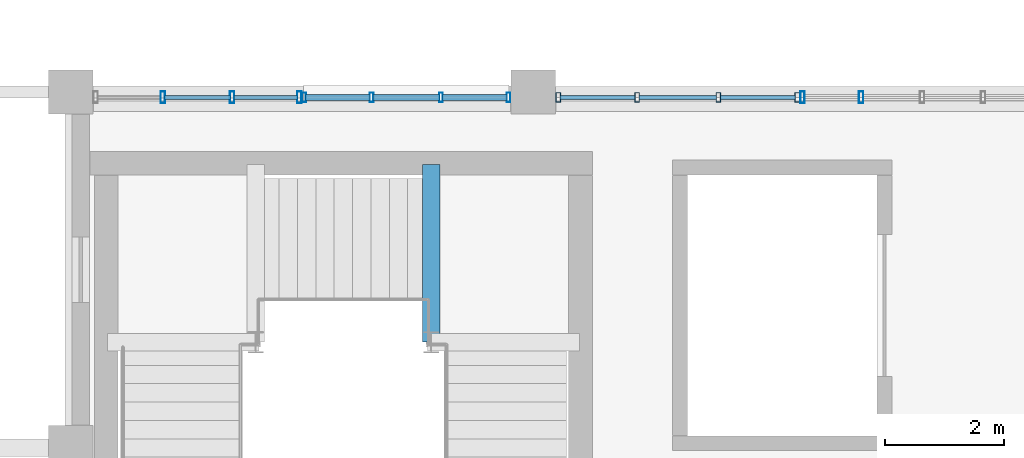
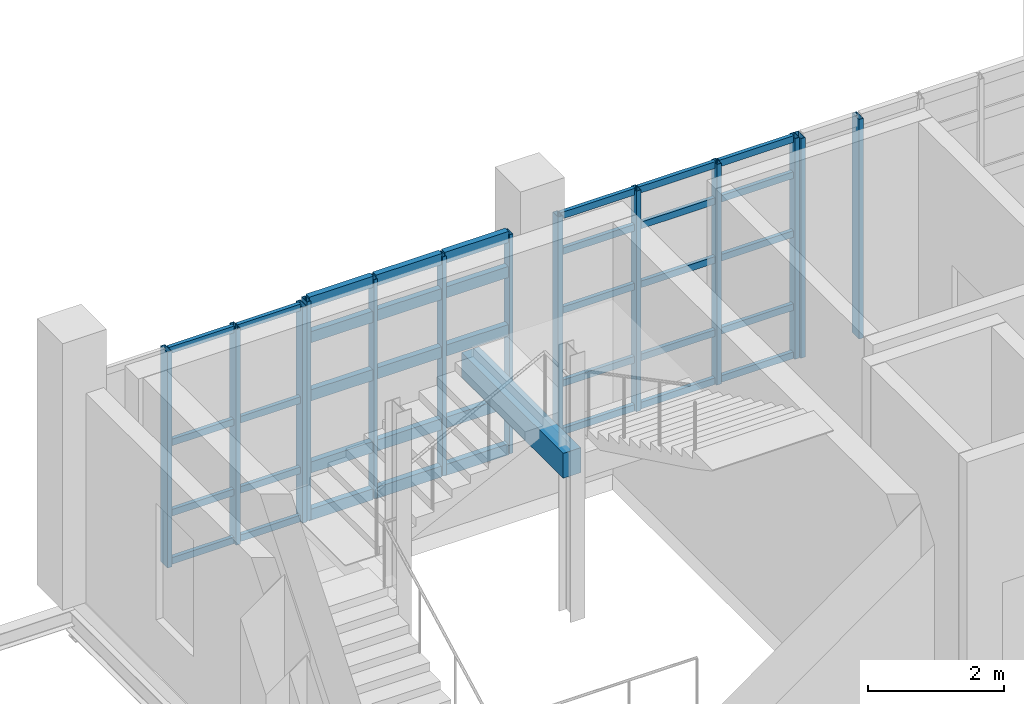
# One storey, part 63 of 127: 51 members, 1 beam, 4 elements without a shape of their own.
"""IFC4 building model written with IfcOpenShell, lengths in metres."""

from ifc_helpers import new_model, si_unit, derived_unit, direction, frame, origin, origin_2d, place, context, subcontext, project, spatial, rectangle, hollow_rectangle, extrude, material, layer, layer_set, material_profile, profile_set, type_object, element, aggregate, save


model = new_model("IFC4")

# Units and contexts
model_context = context("Model", 3, precision=1e-05, world=origin(), true_north=direction((0.0, 1.0)))
body_context = subcontext(model_context, "Body", "Model", "MODEL_VIEW")
ifc_project = project(units=[si_unit("LENGTHUNIT", "METRE"), si_unit("AREAUNIT", "SQUARE_METRE"), si_unit("VOLUMEUNIT", "CUBIC_METRE"), si_unit("PLANEANGLEUNIT", "RADIAN"), si_unit("MASSUNIT", "GRAM", prefix="KILO"), derived_unit("THERMALTRANSMITTANCEUNIT", [(si_unit("POWERUNIT", "WATT"), 1), (si_unit("LENGTHUNIT", "METRE"), -2), (si_unit("THERMODYNAMICTEMPERATUREUNIT", "KELVIN"), -1)])], contexts=[model_context])

# Site, building, storey
site_placement = place(None, origin())
site = spatial("IfcSite", under=ifc_project, at=site_placement, CompositionType="ELEMENT")
building_placement = place(site_placement, origin())
building = spatial("IfcBuilding", under=site, at=building_placement, Name="Nallur Shell Playhouse", CompositionType="ELEMENT")
storey_placement = place(building_placement, frame((0.0, 0.0, 5.39990234375)))
storey = spatial("IfcBuildingStorey", under=building, at=storey_placement, Name="L02", CompositionType="ELEMENT", Elevation=5.39990234375)

# Beam
ifc_material_1 = material(Name="Concrete M35", Category="concrete")
ifc_material_profile_1 = material_profile(ifc_material_1, rectangle(XDim=0.300048828125, YDim=0.449951171875, at=origin_2d()), Name="RC 300x450")
ifc_profile_set_1 = profile_set([ifc_material_profile_1], Name="Concrete M35")
beam_type = type_object("IfcBeamType", Name="BM-SPN-300x450", PredefinedType="SPANDREL", material=ifc_profile_set_1)
beam_placement = place(storey_placement, frame((124.679931640625, 51.780029296875, 2.72509765625), z_axis=(0.0, 1.0, 0.0), x_axis=(-1.0, 0.0, 0.0)))
element("IfcBeam", 1, at=beam_placement, inside=storey, type_object=beam_type, Name="Stair ST-02-L02 L2 west bearer beam", PredefinedType="SPANDREL", context=body_context, shape_type="SweptSolid", body=[
    extrude(rectangle(XDim=0.300048828125, YDim=0.449951171875, at=origin_2d()), origin(), (0.0, 0.0, 1.0), 3.0),
])

# Curtain wall, members
ifc_material_2 = material(Name="Anodised Aluminium Double-Glazed Facade System", Category="aluminium")
ifc_layer_1 = layer(ifc_material_2, 0.179931640625)
ifc_layer_set_1 = layer_set([ifc_layer_1], Name="Anodised Aluminium Double-Glazed Facade System")
curtain_wall_type_1 = type_object("IfcCurtainWallType", Name="CW-UNIT-29", PredefinedType="NOTDEFINED", material=ifc_layer_set_1)
curtain_wall_1_placement = place(storey_placement, origin())
curtain_wall_1 = element("IfcCurtainWall", 2, at=curtain_wall_1_placement, inside=storey, type_object=curtain_wall_type_1, Name="Unitised curtain wall CW-029 (L02)", PredefinedType="NOTDEFINED")
ifc_material_3 = material(Name="Aluminium Alloy 6063-T6 Mullion", Category="aluminium")
ifc_material_profile_2 = material_profile(ifc_material_3, hollow_rectangle(XDim=0.080078125, YDim=0.159912109375, WallThickness=0.006103515625, at=origin_2d()), Name="RHS 160x80x6")
ifc_profile_set_2 = profile_set([ifc_material_profile_2], Name="Aluminium Alloy 6063-T6 Mullion")
member_type_1 = type_object("IfcMemberType", Name="MB-CW-MUL150", PredefinedType="MULLION", material=ifc_profile_set_2)
member_1_placement = place(storey_placement, frame((126.822998046875, 55.909912109375, -0.014892578125), z_axis=(0.0, 0.0, 1.0), x_axis=(1.0, 0.0, 0.0)))
member_1 = element("IfcMember", 3, at=member_1_placement, type_object=member_type_1, Name="CW-29 mullion 1", PredefinedType="MULLION", context=body_context, shape_type="SweptSolid", body=[
    extrude(hollow_rectangle(XDim=0.080078125, YDim=0.159912109375, WallThickness=0.006103515625, at=origin_2d()), origin(), (0.0, 0.0, 1.0), 3.973876953125),
])
member_2_placement = place(storey_placement, frame((128.153564453125, 55.909912109375, -0.014892578125), z_axis=(0.0, 0.0, 1.0), x_axis=(1.0, 0.0, 0.0)))
member_2 = element("IfcMember", 4, at=member_2_placement, type_object=member_type_1, Name="CW-29 mullion 2", PredefinedType="MULLION", context=body_context, shape_type="SweptSolid", body=[
    extrude(hollow_rectangle(XDim=0.080078125, YDim=0.159912109375, WallThickness=0.006103515625, at=origin_2d()), origin(), (0.0, 0.0, 1.0), 3.973876953125),
])
member_3_placement = place(storey_placement, frame((129.5244140625, 55.909912109375, -0.014892578125), z_axis=(0.0, 0.0, 1.0), x_axis=(1.0, 0.0, 0.0)))
member_3 = element("IfcMember", 5, at=member_3_placement, type_object=member_type_1, Name="CW-29 mullion 3", PredefinedType="MULLION", context=body_context, shape_type="SweptSolid", body=[
    extrude(hollow_rectangle(XDim=0.080078125, YDim=0.159912109375, WallThickness=0.006103515625, at=origin_2d()), origin(), (0.0, 0.0, 1.0), 3.973876953125),
])
member_4_placement = place(storey_placement, frame((130.85498046875, 55.909912109375, -0.014892578125), z_axis=(0.0, 0.0, 1.0), x_axis=(1.0, 0.0, 0.0)))
member_4 = element("IfcMember", 6, at=member_4_placement, type_object=member_type_1, Name="CW-29 mullion 4", PredefinedType="MULLION", context=body_context, shape_type="SweptSolid", body=[
    extrude(hollow_rectangle(XDim=0.080078125, YDim=0.159912109375, WallThickness=0.006103515625, at=origin_2d()), origin(), (0.0, 0.0, 1.0), 3.973876953125),
])

ifc_layer_2 = layer(ifc_material_2, 0.176025390625)
ifc_layer_set_2 = layer_set([ifc_layer_2], Name="Anodised Aluminium Double-Glazed Facade System")
curtain_wall_type_2 = type_object("IfcCurtainWallType", Name="CW-UNIT-28", PredefinedType="NOTDEFINED", material=ifc_layer_set_2)
curtain_wall_2_placement = place(storey_placement, origin())
curtain_wall_2 = element("IfcCurtainWall", 7, at=curtain_wall_2_placement, inside=storey, type_object=curtain_wall_type_2, Name="Unitised curtain wall CW-028 (L02)", PredefinedType="NOTDEFINED")
ifc_material_profile_3 = material_profile(ifc_material_3, hollow_rectangle(XDim=0.06494140625, YDim=0.159912109375, WallThickness=0.00390625, at=origin_2d()), Name="ALU 65x160x4")
ifc_profile_set_3 = profile_set([ifc_material_profile_3], Name="Aluminium Alloy 6063-T6 Mullion")
member_type_2 = type_object("IfcMemberType", Name="MB-CW-MUL160", PredefinedType="MULLION", material=ifc_profile_set_3)
member_5_placement = place(storey_placement, frame((122.53759765625, 55.909912109375, -0.014892578125), z_axis=(0.0, 0.0, 1.0), x_axis=(1.0, 0.0, 0.0)))
member_5 = element("IfcMember", 8, at=member_5_placement, type_object=member_type_2, Name="CW-28 mullion 1", PredefinedType="MULLION", context=body_context, shape_type="SweptSolid", body=[
    extrude(hollow_rectangle(XDim=0.06494140625, YDim=0.159912109375, WallThickness=0.00390625, at=origin_2d()), origin(), (0.0, 0.0, 1.0), 3.944091796875),
])
member_6_placement = place(storey_placement, frame((123.67578125, 55.909912109375, -0.014892578125), z_axis=(0.0, 0.0, 1.0), x_axis=(1.0, 0.0, 0.0)))
member_6 = element("IfcMember", 9, at=member_6_placement, type_object=member_type_2, Name="CW-28 mullion 2", PredefinedType="MULLION", context=body_context, shape_type="SweptSolid", body=[
    extrude(hollow_rectangle(XDim=0.06494140625, YDim=0.159912109375, WallThickness=0.00390625, at=origin_2d()), origin(), (0.0, 0.0, 1.0), 3.944091796875),
])
member_7_placement = place(storey_placement, frame((124.846435546875, 55.909912109375, -0.014892578125), z_axis=(0.0, 0.0, 1.0), x_axis=(1.0, 0.0, 0.0)))
member_7 = element("IfcMember", 10, at=member_7_placement, type_object=member_type_2, Name="CW-28 mullion 3", PredefinedType="MULLION", context=body_context, shape_type="SweptSolid", body=[
    extrude(hollow_rectangle(XDim=0.06494140625, YDim=0.159912109375, WallThickness=0.00390625, at=origin_2d()), origin(), (0.0, 0.0, 1.0), 3.944091796875),
])
member_8_placement = place(storey_placement, frame((125.984619140625, 55.909912109375, -0.014892578125), z_axis=(0.0, 0.0, 1.0), x_axis=(1.0, 0.0, 0.0)))
member_8 = element("IfcMember", 11, at=member_8_placement, type_object=member_type_2, Name="CW-28 mullion 4", PredefinedType="MULLION", context=body_context, shape_type="SweptSolid", body=[
    extrude(hollow_rectangle(XDim=0.06494140625, YDim=0.159912109375, WallThickness=0.00390625, at=origin_2d()), origin(), (0.0, 0.0, 1.0), 3.944091796875),
])

ifc_layer_3 = layer(ifc_material_2, 0.172119140625)
ifc_layer_set_3 = layer_set([ifc_layer_3], Name="Anodised Aluminium Double-Glazed Facade System")
curtain_wall_type_3 = type_object("IfcCurtainWallType", Name="CW-UNIT-27", PredefinedType="NOTDEFINED", material=ifc_layer_set_3)
curtain_wall_3_placement = place(storey_placement, origin())
curtain_wall_3 = element("IfcCurtainWall", 12, at=curtain_wall_3_placement, inside=storey, type_object=curtain_wall_type_3, Name="Unitised curtain wall CW-027 (L02)", PredefinedType="NOTDEFINED")
ifc_material_profile_4 = material_profile(ifc_material_3, hollow_rectangle(XDim=0.074951171875, YDim=0.199951171875, WallThickness=0.0048828125, at=origin_2d()), Name="ALU 75x200x5")
ifc_profile_set_4 = profile_set([ifc_material_profile_4], Name="Aluminium Alloy 6063-T6 Mullion")
member_type_3 = type_object("IfcMemberType", Name="MB-CW-MUL180", PredefinedType="MULLION", material=ifc_profile_set_4)
member_9_placement = place(storey_placement, frame((120.153564453125, 55.909912109375, -0.014892578125), z_axis=(0.0, 0.0, 1.0), x_axis=(1.0, 0.0, 0.0)))
member_9 = element("IfcMember", 13, at=member_9_placement, type_object=member_type_3, Name="CW-27 mullion 2", PredefinedType="MULLION", context=body_context, shape_type="SweptSolid", body=[
    extrude(hollow_rectangle(XDim=0.074951171875, YDim=0.199951171875, WallThickness=0.0048828125, at=origin_2d()), origin(), (0.0, 0.0, 1.0), 3.884033203125),
])
member_10_placement = place(storey_placement, frame((121.32421875, 55.909912109375, -0.014892578125), z_axis=(0.0, 0.0, 1.0), x_axis=(1.0, 0.0, 0.0)))
member_10 = element("IfcMember", 14, at=member_10_placement, type_object=member_type_3, Name="CW-27 mullion 3", PredefinedType="MULLION", context=body_context, shape_type="SweptSolid", body=[
    extrude(hollow_rectangle(XDim=0.074951171875, YDim=0.199951171875, WallThickness=0.0048828125, at=origin_2d()), origin(), (0.0, 0.0, 1.0), 3.884033203125),
])
member_11_placement = place(storey_placement, frame((122.45751953125, 55.909912109375, -0.014892578125), z_axis=(0.0, 0.0, 1.0), x_axis=(1.0, 0.0, 0.0)))
member_11 = element("IfcMember", 15, at=member_11_placement, type_object=member_type_3, Name="CW-27 mullion 4", PredefinedType="MULLION", context=body_context, shape_type="SweptSolid", body=[
    extrude(hollow_rectangle(XDim=0.074951171875, YDim=0.199951171875, WallThickness=0.0048828125, at=origin_2d()), origin(), (0.0, 0.0, 1.0), 3.884033203125),
])

ifc_layer_4 = layer(ifc_material_2, 0.159912109375)
ifc_layer_set_4 = layer_set([ifc_layer_4], Name="Anodised Aluminium Double-Glazed Facade System")
curtain_wall_type_4 = type_object("IfcCurtainWallType", Name="CW-UNIT-30", PredefinedType="NOTDEFINED", material=ifc_layer_set_4)
curtain_wall_4_placement = place(storey_placement, origin())
curtain_wall_4 = element("IfcCurtainWall", 16, at=curtain_wall_4_placement, inside=storey, type_object=curtain_wall_type_4, Name="Unitised curtain wall CW-030 (L02)", PredefinedType="NOTDEFINED")
member_12_placement = place(storey_placement, frame((130.9423828125, 55.909912109375, -0.014892578125), z_axis=(0.0, 0.0, 1.0), x_axis=(1.0, 0.0, 0.0)))
member_12 = element("IfcMember", 17, at=member_12_placement, type_object=member_type_3, Name="CW-30 mullion 1", PredefinedType="MULLION", context=body_context, shape_type="SweptSolid", body=[
    extrude(hollow_rectangle(XDim=0.074951171875, YDim=0.199951171875, WallThickness=0.0048828125, at=origin_2d()), origin(), (0.0, 0.0, 1.0), 3.9541015625),
])
member_13_placement = place(storey_placement, frame((131.93310546875, 55.909912109375, -0.014892578125), z_axis=(0.0, 0.0, 1.0), x_axis=(1.0, 0.0, 0.0)))
member_13 = element("IfcMember", 18, at=member_13_placement, type_object=member_type_3, Name="CW-30 mullion 2", PredefinedType="MULLION", context=body_context, shape_type="SweptSolid", body=[
    extrude(hollow_rectangle(XDim=0.074951171875, YDim=0.199951171875, WallThickness=0.0048828125, at=origin_2d()), origin(), (0.0, 0.0, 1.0), 3.9541015625),
])
aggregate(curtain_wall_4, [member_12, member_13])

# Member
ifc_material_4 = material(Name="Aluminium Alloy 6063-T6 Transom", Category="aluminium")
ifc_material_profile_5 = material_profile(ifc_material_4, hollow_rectangle(XDim=0.06494140625, YDim=0.1201171875, WallThickness=0.00390625, at=origin_2d()), Name="ALU 65x120x4")
ifc_profile_set_5 = profile_set([ifc_material_profile_5], Name="Aluminium Alloy 6063-T6 Transom")
member_type_4 = type_object("IfcMemberType", Name="MB-CW-TRN120", PredefinedType="USERDEFINED", material=ifc_profile_set_5)
member_14_placement = place(storey_placement, frame((120.18310546875, 55.909912109375, 0.03271484375), z_axis=(1.0, 0.0, 0.0), x_axis=(0.0, 1.0, 0.0)))
member_14 = element("IfcMember", 19, at=member_14_placement, type_object=member_type_4, Name="CW-27 transom 2.1", ObjectType="TRANSOM", PredefinedType="USERDEFINED", context=body_context, shape_type="SweptSolid", body=[
    extrude(hollow_rectangle(XDim=0.06494140625, YDim=0.1201171875, WallThickness=0.00390625, at=origin_2d()), origin(), (0.0, 0.0, 1.0), 1.11181640625),
])

member_15_placement = place(storey_placement, frame((120.18310546875, 55.909912109375, 0.900146484375), z_axis=(1.0, 0.0, 0.0), x_axis=(0.0, 1.0, 0.0)))
member_15 = element("IfcMember", 20, at=member_15_placement, type_object=member_type_4, Name="CW-27 transom 2.2", ObjectType="TRANSOM", PredefinedType="USERDEFINED", context=body_context, shape_type="SweptSolid", body=[
    extrude(hollow_rectangle(XDim=0.06494140625, YDim=0.1201171875, WallThickness=0.00390625, at=origin_2d()), origin(), (0.0, 0.0, 1.0), 1.11181640625),
])

member_16_placement = place(storey_placement, frame((120.18310546875, 55.909912109375, 2.1640625), z_axis=(1.0, 0.0, 0.0), x_axis=(0.0, 1.0, 0.0)))
member_16 = element("IfcMember", 21, at=member_16_placement, type_object=member_type_4, Name="CW-27 transom 2.3", ObjectType="TRANSOM", PredefinedType="USERDEFINED", context=body_context, shape_type="SweptSolid", body=[
    extrude(hollow_rectangle(XDim=0.06494140625, YDim=0.1201171875, WallThickness=0.00390625, at=origin_2d()), origin(), (0.0, 0.0, 1.0), 1.11181640625),
])

member_17_placement = place(storey_placement, frame((120.18310546875, 55.909912109375, 3.83251953125), z_axis=(1.0, 0.0, 0.0), x_axis=(0.0, 1.0, 0.0)))
member_17 = element("IfcMember", 22, at=member_17_placement, type_object=member_type_4, Name="CW-27 transom 2.4", ObjectType="TRANSOM", PredefinedType="USERDEFINED", context=body_context, shape_type="SweptSolid", body=[
    extrude(hollow_rectangle(XDim=0.06494140625, YDim=0.1201171875, WallThickness=0.00390625, at=origin_2d()), origin(), (0.0, 0.0, 1.0), 1.11181640625),
])

member_18_placement = place(storey_placement, frame((121.353759765625, 55.909912109375, 0.03271484375), z_axis=(1.0, 0.0, 0.0), x_axis=(0.0, 1.0, 0.0)))
member_18 = element("IfcMember", 23, at=member_18_placement, type_object=member_type_4, Name="CW-27 transom 3.1", ObjectType="TRANSOM", PredefinedType="USERDEFINED", context=body_context, shape_type="SweptSolid", body=[
    extrude(hollow_rectangle(XDim=0.06494140625, YDim=0.1201171875, WallThickness=0.00390625, at=origin_2d()), origin(), (0.0, 0.0, 1.0), 1.07421875),
])

member_19_placement = place(storey_placement, frame((121.353759765625, 55.909912109375, 0.900146484375), z_axis=(1.0, 0.0, 0.0), x_axis=(0.0, 1.0, 0.0)))
member_19 = element("IfcMember", 24, at=member_19_placement, type_object=member_type_4, Name="CW-27 transom 3.2", ObjectType="TRANSOM", PredefinedType="USERDEFINED", context=body_context, shape_type="SweptSolid", body=[
    extrude(hollow_rectangle(XDim=0.06494140625, YDim=0.1201171875, WallThickness=0.00390625, at=origin_2d()), origin(), (0.0, 0.0, 1.0), 1.07421875),
])

member_20_placement = place(storey_placement, frame((121.353759765625, 55.909912109375, 2.1640625), z_axis=(1.0, 0.0, 0.0), x_axis=(0.0, 1.0, 0.0)))
member_20 = element("IfcMember", 25, at=member_20_placement, type_object=member_type_4, Name="CW-27 transom 3.3", ObjectType="TRANSOM", PredefinedType="USERDEFINED", context=body_context, shape_type="SweptSolid", body=[
    extrude(hollow_rectangle(XDim=0.06494140625, YDim=0.1201171875, WallThickness=0.00390625, at=origin_2d()), origin(), (0.0, 0.0, 1.0), 1.07421875),
])

member_21_placement = place(storey_placement, frame((121.353759765625, 55.909912109375, 3.83251953125), z_axis=(1.0, 0.0, 0.0), x_axis=(0.0, 1.0, 0.0)))
member_21 = element("IfcMember", 26, at=member_21_placement, type_object=member_type_4, Name="CW-27 transom 3.4", ObjectType="TRANSOM", PredefinedType="USERDEFINED", context=body_context, shape_type="SweptSolid", body=[
    extrude(hollow_rectangle(XDim=0.06494140625, YDim=0.1201171875, WallThickness=0.00390625, at=origin_2d()), origin(), (0.0, 0.0, 1.0), 1.07421875),
])

aggregate(curtain_wall_3, [member_9, member_10, member_11, member_14, member_15, member_16, member_17, member_18, member_19, member_20, member_21])

member_22_placement = place(storey_placement, frame((126.85498046875, 55.909912109375, 0.03271484375), z_axis=(1.0, 0.0, 0.0), x_axis=(0.0, 1.0, 0.0)))
member_22 = element("IfcMember", 27, at=member_22_placement, type_object=member_type_4, Name="CW-29 transom 1.1", ObjectType="TRANSOM", PredefinedType="USERDEFINED", context=body_context, shape_type="SweptSolid", body=[
    extrude(hollow_rectangle(XDim=0.06494140625, YDim=0.1201171875, WallThickness=0.00390625, at=origin_2d()), origin(), (0.0, 0.0, 1.0), 1.2666015625),
])

member_23_placement = place(storey_placement, frame((126.85498046875, 55.909912109375, 0.900146484375), z_axis=(1.0, 0.0, 0.0), x_axis=(0.0, 1.0, 0.0)))
member_23 = element("IfcMember", 28, at=member_23_placement, type_object=member_type_4, Name="CW-29 transom 1.2", ObjectType="TRANSOM", PredefinedType="USERDEFINED", context=body_context, shape_type="SweptSolid", body=[
    extrude(hollow_rectangle(XDim=0.06494140625, YDim=0.1201171875, WallThickness=0.00390625, at=origin_2d()), origin(), (0.0, 0.0, 1.0), 1.2666015625),
])

member_24_placement = place(storey_placement, frame((126.85498046875, 55.909912109375, 2.215087890625), z_axis=(1.0, 0.0, 0.0), x_axis=(0.0, 1.0, 0.0)))
member_24 = element("IfcMember", 29, at=member_24_placement, type_object=member_type_4, Name="CW-29 transom 1.3", ObjectType="TRANSOM", PredefinedType="USERDEFINED", context=body_context, shape_type="SweptSolid", body=[
    extrude(hollow_rectangle(XDim=0.06494140625, YDim=0.1201171875, WallThickness=0.00390625, at=origin_2d()), origin(), (0.0, 0.0, 1.0), 1.2666015625),
])

member_25_placement = place(storey_placement, frame((126.85498046875, 55.909912109375, 3.275146484375), z_axis=(1.0, 0.0, 0.0), x_axis=(0.0, 1.0, 0.0)))
member_25 = element("IfcMember", 30, at=member_25_placement, type_object=member_type_4, Name="CW-29 transom 1.4", ObjectType="TRANSOM", PredefinedType="USERDEFINED", context=body_context, shape_type="SweptSolid", body=[
    extrude(hollow_rectangle(XDim=0.06494140625, YDim=0.1201171875, WallThickness=0.00390625, at=origin_2d()), origin(), (0.0, 0.0, 1.0), 1.2666015625),
])

member_26_placement = place(storey_placement, frame((126.85498046875, 55.909912109375, 3.922607421875), z_axis=(1.0, 0.0, 0.0), x_axis=(0.0, 1.0, 0.0)))
member_26 = element("IfcMember", 31, at=member_26_placement, type_object=member_type_4, Name="CW-29 transom 1.5", ObjectType="TRANSOM", PredefinedType="USERDEFINED", context=body_context, shape_type="SweptSolid", body=[
    extrude(hollow_rectangle(XDim=0.06494140625, YDim=0.1201171875, WallThickness=0.00390625, at=origin_2d()), origin(), (0.0, 0.0, 1.0), 1.2666015625),
])

member_27_placement = place(storey_placement, frame((128.185546875, 55.909912109375, 0.03271484375), z_axis=(1.0, 0.0, 0.0), x_axis=(0.0, 1.0, 0.0)))
member_27 = element("IfcMember", 32, at=member_27_placement, type_object=member_type_4, Name="CW-29 transom 2.1", ObjectType="TRANSOM", PredefinedType="USERDEFINED", context=body_context, shape_type="SweptSolid", body=[
    extrude(hollow_rectangle(XDim=0.06494140625, YDim=0.1201171875, WallThickness=0.00390625, at=origin_2d()), origin(), (0.0, 0.0, 1.0), 1.306884765625),
])

member_28_placement = place(storey_placement, frame((128.185546875, 55.909912109375, 0.900146484375), z_axis=(1.0, 0.0, 0.0), x_axis=(0.0, 1.0, 0.0)))
member_28 = element("IfcMember", 33, at=member_28_placement, type_object=member_type_4, Name="CW-29 transom 2.2", ObjectType="TRANSOM", PredefinedType="USERDEFINED", context=body_context, shape_type="SweptSolid", body=[
    extrude(hollow_rectangle(XDim=0.06494140625, YDim=0.1201171875, WallThickness=0.00390625, at=origin_2d()), origin(), (0.0, 0.0, 1.0), 1.306884765625),
])

member_29_placement = place(storey_placement, frame((128.185546875, 55.909912109375, 2.215087890625), z_axis=(1.0, 0.0, 0.0), x_axis=(0.0, 1.0, 0.0)))
member_29 = element("IfcMember", 34, at=member_29_placement, type_object=member_type_4, Name="CW-29 transom 2.3", ObjectType="TRANSOM", PredefinedType="USERDEFINED", context=body_context, shape_type="SweptSolid", body=[
    extrude(hollow_rectangle(XDim=0.06494140625, YDim=0.1201171875, WallThickness=0.00390625, at=origin_2d()), origin(), (0.0, 0.0, 1.0), 1.306884765625),
])

member_30_placement = place(storey_placement, frame((128.185546875, 55.909912109375, 3.275146484375), z_axis=(1.0, 0.0, 0.0), x_axis=(0.0, 1.0, 0.0)))
member_30 = element("IfcMember", 35, at=member_30_placement, type_object=member_type_4, Name="CW-29 transom 2.4", ObjectType="TRANSOM", PredefinedType="USERDEFINED", context=body_context, shape_type="SweptSolid", body=[
    extrude(hollow_rectangle(XDim=0.06494140625, YDim=0.1201171875, WallThickness=0.00390625, at=origin_2d()), origin(), (0.0, 0.0, 1.0), 1.306884765625),
])

member_31_placement = place(storey_placement, frame((128.185546875, 55.909912109375, 3.922607421875), z_axis=(1.0, 0.0, 0.0), x_axis=(0.0, 1.0, 0.0)))
member_31 = element("IfcMember", 36, at=member_31_placement, type_object=member_type_4, Name="CW-29 transom 2.5", ObjectType="TRANSOM", PredefinedType="USERDEFINED", context=body_context, shape_type="SweptSolid", body=[
    extrude(hollow_rectangle(XDim=0.06494140625, YDim=0.1201171875, WallThickness=0.00390625, at=origin_2d()), origin(), (0.0, 0.0, 1.0), 1.306884765625),
])

member_32_placement = place(storey_placement, frame((129.556396484375, 55.909912109375, 0.03271484375), z_axis=(1.0, 0.0, 0.0), x_axis=(0.0, 1.0, 0.0)))
member_32 = element("IfcMember", 37, at=member_32_placement, type_object=member_type_4, Name="CW-29 transom 3.1", ObjectType="TRANSOM", PredefinedType="USERDEFINED", context=body_context, shape_type="SweptSolid", body=[
    extrude(hollow_rectangle(XDim=0.06494140625, YDim=0.1201171875, WallThickness=0.00390625, at=origin_2d()), origin(), (0.0, 0.0, 1.0), 1.2666015625),
])

member_33_placement = place(storey_placement, frame((129.556396484375, 55.909912109375, 0.900146484375), z_axis=(1.0, 0.0, 0.0), x_axis=(0.0, 1.0, 0.0)))
member_33 = element("IfcMember", 38, at=member_33_placement, type_object=member_type_4, Name="CW-29 transom 3.2", ObjectType="TRANSOM", PredefinedType="USERDEFINED", context=body_context, shape_type="SweptSolid", body=[
    extrude(hollow_rectangle(XDim=0.06494140625, YDim=0.1201171875, WallThickness=0.00390625, at=origin_2d()), origin(), (0.0, 0.0, 1.0), 1.2666015625),
])

member_34_placement = place(storey_placement, frame((129.556396484375, 55.909912109375, 2.215087890625), z_axis=(1.0, 0.0, 0.0), x_axis=(0.0, 1.0, 0.0)))
member_34 = element("IfcMember", 39, at=member_34_placement, type_object=member_type_4, Name="CW-29 transom 3.3", ObjectType="TRANSOM", PredefinedType="USERDEFINED", context=body_context, shape_type="SweptSolid", body=[
    extrude(hollow_rectangle(XDim=0.06494140625, YDim=0.1201171875, WallThickness=0.00390625, at=origin_2d()), origin(), (0.0, 0.0, 1.0), 1.2666015625),
])

member_35_placement = place(storey_placement, frame((129.556396484375, 55.909912109375, 3.275146484375), z_axis=(1.0, 0.0, 0.0), x_axis=(0.0, 1.0, 0.0)))
member_35 = element("IfcMember", 40, at=member_35_placement, type_object=member_type_4, Name="CW-29 transom 3.4", ObjectType="TRANSOM", PredefinedType="USERDEFINED", context=body_context, shape_type="SweptSolid", body=[
    extrude(hollow_rectangle(XDim=0.06494140625, YDim=0.1201171875, WallThickness=0.00390625, at=origin_2d()), origin(), (0.0, 0.0, 1.0), 1.2666015625),
])

member_36_placement = place(storey_placement, frame((129.556396484375, 55.909912109375, 3.922607421875), z_axis=(1.0, 0.0, 0.0), x_axis=(0.0, 1.0, 0.0)))
member_36 = element("IfcMember", 41, at=member_36_placement, type_object=member_type_4, Name="CW-29 transom 3.5", ObjectType="TRANSOM", PredefinedType="USERDEFINED", context=body_context, shape_type="SweptSolid", body=[
    extrude(hollow_rectangle(XDim=0.06494140625, YDim=0.1201171875, WallThickness=0.00390625, at=origin_2d()), origin(), (0.0, 0.0, 1.0), 1.2666015625),
])

aggregate(curtain_wall_1, [member_1, member_2, member_3, member_4, member_22, member_23, member_24, member_25, member_26, member_27, member_28, member_29, member_30, member_31, member_32, member_33, member_34, member_35, member_36])

ifc_material_profile_6 = material_profile(ifc_material_4, hollow_rectangle(XDim=0.10009765625, YDim=0.199951171875, WallThickness=0.008056640625, at=origin_2d()), Name="RHS 200x100x8")
ifc_profile_set_6 = profile_set([ifc_material_profile_6], Name="Aluminium Alloy 6063-T6 Transom")
member_type_5 = type_object("IfcMemberType", Name="MB-CW-TRN140", PredefinedType="USERDEFINED", material=ifc_profile_set_6)
member_37_placement = place(storey_placement, frame((122.56201171875, 55.909912109375, 0.050048828125), z_axis=(1.0, 0.0, 0.0), x_axis=(0.0, 1.0, 0.0)))
member_37 = element("IfcMember", 42, at=member_37_placement, type_object=member_type_5, Name="CW-28 transom 1.1", ObjectType="TRANSOM", PredefinedType="USERDEFINED", context=body_context, shape_type="SweptSolid", body=[
    extrude(hollow_rectangle(XDim=0.10009765625, YDim=0.199951171875, WallThickness=0.008056640625, at=origin_2d()), origin(), (0.0, 0.0, 1.0), 1.089111328125),
])

member_38_placement = place(storey_placement, frame((122.56201171875, 55.909912109375, 0.900146484375), z_axis=(1.0, 0.0, 0.0), x_axis=(0.0, 1.0, 0.0)))
member_38 = element("IfcMember", 43, at=member_38_placement, type_object=member_type_5, Name="CW-28 transom 1.2", ObjectType="TRANSOM", PredefinedType="USERDEFINED", context=body_context, shape_type="SweptSolid", body=[
    extrude(hollow_rectangle(XDim=0.10009765625, YDim=0.199951171875, WallThickness=0.008056640625, at=origin_2d()), origin(), (0.0, 0.0, 1.0), 1.089111328125),
])

member_39_placement = place(storey_placement, frame((122.56201171875, 55.909912109375, 2.197998046875), z_axis=(1.0, 0.0, 0.0), x_axis=(0.0, 1.0, 0.0)))
member_39 = element("IfcMember", 44, at=member_39_placement, type_object=member_type_5, Name="CW-28 transom 1.3", ObjectType="TRANSOM", PredefinedType="USERDEFINED", context=body_context, shape_type="SweptSolid", body=[
    extrude(hollow_rectangle(XDim=0.10009765625, YDim=0.199951171875, WallThickness=0.008056640625, at=origin_2d()), origin(), (0.0, 0.0, 1.0), 1.089111328125),
])

member_40_placement = place(storey_placement, frame((122.56201171875, 55.909912109375, 3.2451171875), z_axis=(1.0, 0.0, 0.0), x_axis=(0.0, 1.0, 0.0)))
member_40 = element("IfcMember", 45, at=member_40_placement, type_object=member_type_5, Name="CW-28 transom 1.4", ObjectType="TRANSOM", PredefinedType="USERDEFINED", context=body_context, shape_type="SweptSolid", body=[
    extrude(hollow_rectangle(XDim=0.10009765625, YDim=0.199951171875, WallThickness=0.008056640625, at=origin_2d()), origin(), (0.0, 0.0, 1.0), 1.089111328125),
])

member_41_placement = place(storey_placement, frame((122.56201171875, 55.909912109375, 3.875), z_axis=(1.0, 0.0, 0.0), x_axis=(0.0, 1.0, 0.0)))
member_41 = element("IfcMember", 46, at=member_41_placement, type_object=member_type_5, Name="CW-28 transom 1.5", ObjectType="TRANSOM", PredefinedType="USERDEFINED", context=body_context, shape_type="SweptSolid", body=[
    extrude(hollow_rectangle(XDim=0.10009765625, YDim=0.199951171875, WallThickness=0.008056640625, at=origin_2d()), origin(), (0.0, 0.0, 1.0), 1.089111328125),
])

member_42_placement = place(storey_placement, frame((123.7001953125, 55.909912109375, 0.050048828125), z_axis=(1.0, 0.0, 0.0), x_axis=(0.0, 1.0, 0.0)))
member_42 = element("IfcMember", 47, at=member_42_placement, type_object=member_type_5, Name="CW-28 transom 2.1", ObjectType="TRANSOM", PredefinedType="USERDEFINED", context=body_context, shape_type="SweptSolid", body=[
    extrude(hollow_rectangle(XDim=0.10009765625, YDim=0.199951171875, WallThickness=0.008056640625, at=origin_2d()), origin(), (0.0, 0.0, 1.0), 1.12158203125),
])

member_43_placement = place(storey_placement, frame((123.7001953125, 55.909912109375, 0.900146484375), z_axis=(1.0, 0.0, 0.0), x_axis=(0.0, 1.0, 0.0)))
member_43 = element("IfcMember", 48, at=member_43_placement, type_object=member_type_5, Name="CW-28 transom 2.2", ObjectType="TRANSOM", PredefinedType="USERDEFINED", context=body_context, shape_type="SweptSolid", body=[
    extrude(hollow_rectangle(XDim=0.10009765625, YDim=0.199951171875, WallThickness=0.008056640625, at=origin_2d()), origin(), (0.0, 0.0, 1.0), 1.12158203125),
])

member_44_placement = place(storey_placement, frame((123.7001953125, 55.909912109375, 2.197998046875), z_axis=(1.0, 0.0, 0.0), x_axis=(0.0, 1.0, 0.0)))
member_44 = element("IfcMember", 49, at=member_44_placement, type_object=member_type_5, Name="CW-28 transom 2.3", ObjectType="TRANSOM", PredefinedType="USERDEFINED", context=body_context, shape_type="SweptSolid", body=[
    extrude(hollow_rectangle(XDim=0.10009765625, YDim=0.199951171875, WallThickness=0.008056640625, at=origin_2d()), origin(), (0.0, 0.0, 1.0), 1.12158203125),
])

member_45_placement = place(storey_placement, frame((123.7001953125, 55.909912109375, 3.2451171875), z_axis=(1.0, 0.0, 0.0), x_axis=(0.0, 1.0, 0.0)))
member_45 = element("IfcMember", 50, at=member_45_placement, type_object=member_type_5, Name="CW-28 transom 2.4", ObjectType="TRANSOM", PredefinedType="USERDEFINED", context=body_context, shape_type="SweptSolid", body=[
    extrude(hollow_rectangle(XDim=0.10009765625, YDim=0.199951171875, WallThickness=0.008056640625, at=origin_2d()), origin(), (0.0, 0.0, 1.0), 1.12158203125),
])

member_46_placement = place(storey_placement, frame((123.7001953125, 55.909912109375, 3.875), z_axis=(1.0, 0.0, 0.0), x_axis=(0.0, 1.0, 0.0)))
member_46 = element("IfcMember", 51, at=member_46_placement, type_object=member_type_5, Name="CW-28 transom 2.5", ObjectType="TRANSOM", PredefinedType="USERDEFINED", context=body_context, shape_type="SweptSolid", body=[
    extrude(hollow_rectangle(XDim=0.10009765625, YDim=0.199951171875, WallThickness=0.008056640625, at=origin_2d()), origin(), (0.0, 0.0, 1.0), 1.12158203125),
])

member_47_placement = place(storey_placement, frame((124.870849609375, 55.909912109375, 0.050048828125), z_axis=(1.0, 0.0, 0.0), x_axis=(0.0, 1.0, 0.0)))
member_47 = element("IfcMember", 52, at=member_47_placement, type_object=member_type_5, Name="CW-28 transom 3.1", ObjectType="TRANSOM", PredefinedType="USERDEFINED", context=body_context, shape_type="SweptSolid", body=[
    extrude(hollow_rectangle(XDim=0.10009765625, YDim=0.199951171875, WallThickness=0.008056640625, at=origin_2d()), origin(), (0.0, 0.0, 1.0), 1.089111328125),
])

member_48_placement = place(storey_placement, frame((124.870849609375, 55.909912109375, 0.900146484375), z_axis=(1.0, 0.0, 0.0), x_axis=(0.0, 1.0, 0.0)))
member_48 = element("IfcMember", 53, at=member_48_placement, type_object=member_type_5, Name="CW-28 transom 3.2", ObjectType="TRANSOM", PredefinedType="USERDEFINED", context=body_context, shape_type="SweptSolid", body=[
    extrude(hollow_rectangle(XDim=0.10009765625, YDim=0.199951171875, WallThickness=0.008056640625, at=origin_2d()), origin(), (0.0, 0.0, 1.0), 1.089111328125),
])

member_49_placement = place(storey_placement, frame((124.870849609375, 55.909912109375, 2.197998046875), z_axis=(1.0, 0.0, 0.0), x_axis=(0.0, 1.0, 0.0)))
member_49 = element("IfcMember", 54, at=member_49_placement, type_object=member_type_5, Name="CW-28 transom 3.3", ObjectType="TRANSOM", PredefinedType="USERDEFINED", context=body_context, shape_type="SweptSolid", body=[
    extrude(hollow_rectangle(XDim=0.10009765625, YDim=0.199951171875, WallThickness=0.008056640625, at=origin_2d()), origin(), (0.0, 0.0, 1.0), 1.089111328125),
])

member_50_placement = place(storey_placement, frame((124.870849609375, 55.909912109375, 3.2451171875), z_axis=(1.0, 0.0, 0.0), x_axis=(0.0, 1.0, 0.0)))
member_50 = element("IfcMember", 55, at=member_50_placement, type_object=member_type_5, Name="CW-28 transom 3.4", ObjectType="TRANSOM", PredefinedType="USERDEFINED", context=body_context, shape_type="SweptSolid", body=[
    extrude(hollow_rectangle(XDim=0.10009765625, YDim=0.199951171875, WallThickness=0.008056640625, at=origin_2d()), origin(), (0.0, 0.0, 1.0), 1.089111328125),
])

member_51_placement = place(storey_placement, frame((124.870849609375, 55.909912109375, 3.875), z_axis=(1.0, 0.0, 0.0), x_axis=(0.0, 1.0, 0.0)))
member_51 = element("IfcMember", 56, at=member_51_placement, type_object=member_type_5, Name="CW-28 transom 3.5", ObjectType="TRANSOM", PredefinedType="USERDEFINED", context=body_context, shape_type="SweptSolid", body=[
    extrude(hollow_rectangle(XDim=0.10009765625, YDim=0.199951171875, WallThickness=0.008056640625, at=origin_2d()), origin(), (0.0, 0.0, 1.0), 1.089111328125),
])

aggregate(curtain_wall_2, [member_5, member_6, member_7, member_8, member_37, member_38, member_39, member_40, member_41, member_42, member_43, member_44, member_45, member_46, member_47, member_48, member_49, member_50, member_51])

save(model, "model.ifc")
